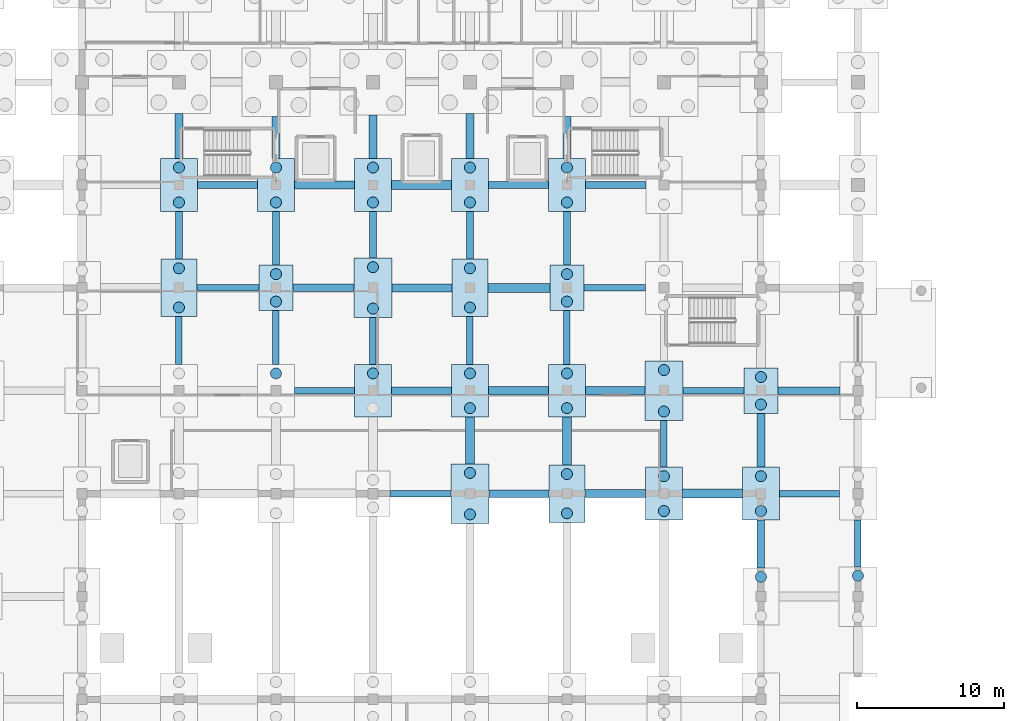
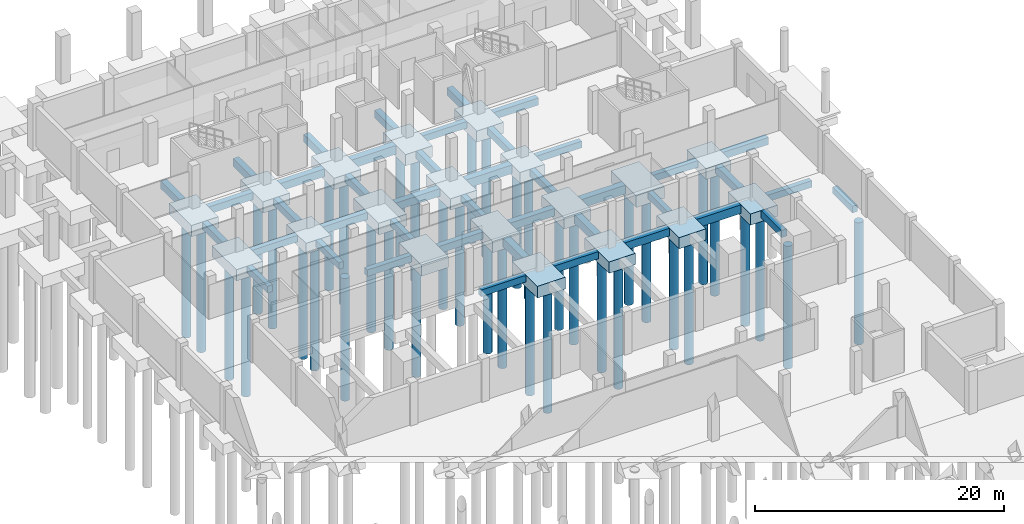
# One storey, part 9 of 27: 61 footings, 40 piles.
"""IFC4 building model written with IfcOpenShell, lengths in metres."""

from ifc_helpers import new_model, si_unit, direction, frame, origin, origin_2d, place, context, subcontext, project, spatial, rectangle, circle, extrude, material, material_profile, profile_set, type_object, element, save


model = new_model("IFC4")

# Units and contexts
model_context = context("Model", 3, precision=1e-05, world=origin(), true_north=direction((0.0, 1.0)))
body_context = subcontext(model_context, "Body", "Model", "MODEL_VIEW")
ifc_project = project(units=[si_unit("LENGTHUNIT", "METRE"), si_unit("AREAUNIT", "SQUARE_METRE"), si_unit("VOLUMEUNIT", "CUBIC_METRE"), si_unit("PLANEANGLEUNIT", "RADIAN"), si_unit("MASSUNIT", "GRAM", prefix="KILO")], contexts=[model_context])

# Site, building, storey
site_placement = place(None, origin())
site = spatial("IfcSite", under=ifc_project, at=site_placement, CompositionType="ELEMENT")
building_placement = place(site_placement, origin())
building = spatial("IfcBuilding", under=site, at=building_placement, Name="Ciguamira Faculty of Natural Sciences", CompositionType="ELEMENT")
storey_placement = place(building_placement, frame((0.0, 0.0, -4.199951171875)))
storey = spatial("IfcBuildingStorey", under=building, at=storey_placement, Name="B1", CompositionType="ELEMENT", Elevation=-4.199951171875)

# Piles
ifc_material = material(Name="Concrete C35/45", Category="concrete")
ifc_material_profile_1 = material_profile(ifc_material, circle(Radius=0.375, at=origin_2d()), Name="PILE-BORED-750")
ifc_profile_set_1 = profile_set([ifc_material_profile_1], Name="Concrete C35/45")
pile_type = type_object("IfcPileType", Name="BoredPile_BP-02_750", PredefinedType="BORED", material=ifc_profile_set_1)
for number, where, z_axis, x_axis, name in (
    (1, (70.5, 85.6650390625, -1.400146484375), (0.0, 0.0, -1.0), (1.0, 0.0, 0.0), "B1 bored pile 076-1"),
    (2, (70.5, 88.3349609375, -1.400146484375), (0.0, 0.0, -1.0), (1.0, 0.0, 0.0), "B1 bored pile 076-2"),
    (3, (70.5, 92.81494140625, -1.400146484375), (0.0, 0.0, -1.0), (1.0, 0.0, 0.0), "B1 bored pile 077-1"),
    (4, (70.5, 95.18505859375, -1.400146484375), (0.0, 0.0, -1.0), (1.0, 0.0, 0.0), "B1 bored pile 077-2"),
    (5, (77.10009765625, 81.18505859375, -1.400146484375), (0.0, 0.0, -1.0), (1.0, 0.0, 0.0), "B1 bored pile 089-2"),
):
    element("IfcPile", number, at=place(storey_placement, frame(where, z_axis=z_axis, x_axis=x_axis)), inside=storey, type_object=pile_type, Name=name, PredefinedType="BORED", context=body_context, shape_type="SweptSolid", body=[
        extrude(circle(Radius=0.375, at=origin_2d()), origin(), (0.0, 0.0, 1.0), 12.0),
    ])
for number, where, z_axis, x_axis, name in (
    (6, (77.10009765625, 86.06494140625, -1.35009765625), (0.0, 0.0, -1.0), (1.0, 0.0, 0.0), "B1 bored pile 090-1"),
    (7, (77.10009765625, 87.93505859375, -1.35009765625), (0.0, 0.0, -1.0), (1.0, 0.0, 0.0), "B1 bored pile 090-2"),
):
    element("IfcPile", number, at=place(storey_placement, frame(where, z_axis=z_axis, x_axis=x_axis)), inside=storey, type_object=pile_type, Name=name, PredefinedType="BORED", context=body_context, shape_type="SweptSolid", body=[
        extrude(circle(Radius=0.375, at=origin_2d()), origin(), (0.0, 0.0, 1.0), 12.050048828125),
    ])
for number, where, z_axis, x_axis, name in (
    (8, (77.10009765625, 92.81494140625, -1.400146484375), (0.0, 0.0, -1.0), (1.0, 0.0, 0.0), "B1 bored pile 091-1"),
    (9, (77.10009765625, 95.18505859375, -1.400146484375), (0.0, 0.0, -1.0), (1.0, 0.0, 0.0), "B1 bored pile 091-2"),
    (10, (83.699951171875, 81.18505859375, -1.400146484375), (0.0, 0.0, -1.0), (1.0, 0.0, 0.0), "B1 bored pile 103-2"),
):
    element("IfcPile", number, at=place(storey_placement, frame(where, z_axis=z_axis, x_axis=x_axis)), inside=storey, type_object=pile_type, Name=name, PredefinedType="BORED", context=body_context, shape_type="SweptSolid", body=[
        extrude(circle(Radius=0.375, at=origin_2d()), origin(), (0.0, 0.0, 1.0), 12.0),
    ])
for number, where, z_axis, x_axis, name in (
    (11, (83.699951171875, 85.590087890625, -1.449951171875), (0.0, 0.0, -1.0), (1.0, 0.0, 0.0), "B1 bored pile 104-1"),
    (12, (83.699951171875, 88.409912109375, -1.449951171875), (0.0, 0.0, -1.0), (1.0, 0.0, 0.0), "B1 bored pile 104-2"),
):
    element("IfcPile", number, at=place(storey_placement, frame(where, z_axis=z_axis, x_axis=x_axis)), inside=storey, type_object=pile_type, Name=name, PredefinedType="BORED", context=body_context, shape_type="SweptSolid", body=[
        extrude(circle(Radius=0.375, at=origin_2d()), origin(), (0.0, 0.0, 1.0), 11.949951171875),
    ])
for number, where, z_axis, x_axis, name in (
    (13, (83.699951171875, 92.81494140625, -1.400146484375), (0.0, 0.0, -1.0), (1.0, 0.0, 0.0), "B1 bored pile 105-1"),
    (14, (83.699951171875, 95.18505859375, -1.400146484375), (0.0, 0.0, -1.0), (1.0, 0.0, 0.0), "B1 bored pile 105-2"),
):
    element("IfcPile", number, at=place(storey_placement, frame(where, z_axis=z_axis, x_axis=x_axis)), inside=storey, type_object=pile_type, Name=name, PredefinedType="BORED", context=body_context, shape_type="SweptSolid", body=[
        extrude(circle(Radius=0.375, at=origin_2d()), origin(), (0.0, 0.0, 1.0), 12.0),
    ])
for number, where, z_axis, x_axis, name in (
    (15, (90.300048828125, 71.590087890625, -1.449951171875), (0.0, 0.0, -1.0), (1.0, 0.0, 0.0), "B1 bored pile 116-1"),
    (16, (90.300048828125, 74.409912109375, -1.449951171875), (0.0, 0.0, -1.0), (1.0, 0.0, 0.0), "B1 bored pile 116-2"),
):
    element("IfcPile", number, at=place(storey_placement, frame(where, z_axis=z_axis, x_axis=x_axis)), inside=storey, type_object=pile_type, Name=name, PredefinedType="BORED", context=body_context, shape_type="SweptSolid", body=[
        extrude(circle(Radius=0.375, at=origin_2d()), origin(), (0.0, 0.0, 1.0), 11.949951171875),
    ])
for number, where, z_axis, x_axis, name in (
    (17, (90.300048828125, 78.81494140625, -1.400146484375), (0.0, 0.0, -1.0), (1.0, 0.0, 0.0), "B1 bored pile 117-1"),
    (18, (90.300048828125, 81.18505859375, -1.400146484375), (0.0, 0.0, -1.0), (1.0, 0.0, 0.0), "B1 bored pile 117-2"),
    (19, (90.300048828125, 85.6650390625, -1.400146484375), (0.0, 0.0, -1.0), (1.0, 0.0, 0.0), "B1 bored pile 118-1"),
    (20, (90.300048828125, 88.3349609375, -1.400146484375), (0.0, 0.0, -1.0), (1.0, 0.0, 0.0), "B1 bored pile 118-2"),
    (21, (90.300048828125, 92.81494140625, -1.400146484375), (0.0, 0.0, -1.0), (1.0, 0.0, 0.0), "B1 bored pile 119-1"),
    (22, (90.300048828125, 95.18505859375, -1.400146484375), (0.0, 0.0, -1.0), (1.0, 0.0, 0.0), "B1 bored pile 119-2"),
    (23, (96.89990234375, 71.6650390625, -1.400146484375), (0.0, 0.0, -1.0), (1.0, 0.0, 0.0), "B1 bored pile 130-1"),
    (24, (96.89990234375, 74.3349609375, -1.400146484375), (0.0, 0.0, -1.0), (1.0, 0.0, 0.0), "B1 bored pile 130-2"),
    (25, (96.89990234375, 78.81494140625, -1.400146484375), (0.0, 0.0, -1.0), (1.0, 0.0, 0.0), "B1 bored pile 131-1"),
    (26, (96.89990234375, 81.18505859375, -1.400146484375), (0.0, 0.0, -1.0), (1.0, 0.0, 0.0), "B1 bored pile 131-2"),
):
    element("IfcPile", number, at=place(storey_placement, frame(where, z_axis=z_axis, x_axis=x_axis)), inside=storey, type_object=pile_type, Name=name, PredefinedType="BORED", context=body_context, shape_type="SweptSolid", body=[
        extrude(circle(Radius=0.375, at=origin_2d()), origin(), (0.0, 0.0, 1.0), 12.0),
    ])
for number, where, z_axis, x_axis, name in (
    (27, (96.89990234375, 86.06494140625, -1.35009765625), (0.0, 0.0, -1.0), (1.0, 0.0, 0.0), "B1 bored pile 132-1"),
    (28, (96.89990234375, 87.93505859375, -1.35009765625), (0.0, 0.0, -1.0), (1.0, 0.0, 0.0), "B1 bored pile 132-2"),
):
    element("IfcPile", number, at=place(storey_placement, frame(where, z_axis=z_axis, x_axis=x_axis)), inside=storey, type_object=pile_type, Name=name, PredefinedType="BORED", context=body_context, shape_type="SweptSolid", body=[
        extrude(circle(Radius=0.375, at=origin_2d()), origin(), (0.0, 0.0, 1.0), 12.050048828125),
    ])
for number, where, z_axis, x_axis, name in (
    (29, (96.89990234375, 92.81494140625, -1.400146484375), (0.0, 0.0, -1.0), (1.0, 0.0, 0.0), "B1 bored pile 133-1"),
    (30, (96.89990234375, 95.18505859375, -1.400146484375), (0.0, 0.0, -1.0), (1.0, 0.0, 0.0), "B1 bored pile 133-2"),
    (31, (103.5, 71.81494140625, -1.400146484375), (0.0, 0.0, -1.0), (1.0, 0.0, 0.0), "B1 bored pile 145-1"),
    (32, (103.5, 74.18505859375, -1.400146484375), (0.0, 0.0, -1.0), (1.0, 0.0, 0.0), "B1 bored pile 145-2"),
):
    element("IfcPile", number, at=place(storey_placement, frame(where, z_axis=z_axis, x_axis=x_axis)), inside=storey, type_object=pile_type, Name=name, PredefinedType="BORED", context=body_context, shape_type="SweptSolid", body=[
        extrude(circle(Radius=0.375, at=origin_2d()), origin(), (0.0, 0.0, 1.0), 12.0),
    ])
for number, where, z_axis, x_axis, name in (
    (33, (103.5, 78.590087890625, -1.449951171875), (0.0, 0.0, -1.0), (1.0, 0.0, 0.0), "B1 bored pile 146-1"),
    (34, (103.5, 81.409912109375, -1.449951171875), (0.0, 0.0, -1.0), (1.0, 0.0, 0.0), "B1 bored pile 146-2"),
):
    element("IfcPile", number, at=place(storey_placement, frame(where, z_axis=z_axis, x_axis=x_axis)), inside=storey, type_object=pile_type, Name=name, PredefinedType="BORED", context=body_context, shape_type="SweptSolid", body=[
        extrude(circle(Radius=0.375, at=origin_2d()), origin(), (0.0, 0.0, 1.0), 11.949951171875),
    ])
for number, where, z_axis, x_axis, name in (
    (35, (110.10009765625, 67.3349609375, -1.400146484375), (0.0, 0.0, -1.0), (1.0, 0.0, 0.0), "B1 bored pile 160-2"),
    (36, (110.10009765625, 71.81494140625, -1.400146484375), (0.0, 0.0, -1.0), (1.0, 0.0, 0.0), "B1 bored pile 161-1"),
    (37, (110.10009765625, 74.18505859375, -1.400146484375), (0.0, 0.0, -1.0), (1.0, 0.0, 0.0), "B1 bored pile 161-2"),
):
    element("IfcPile", number, at=place(storey_placement, frame(where, z_axis=z_axis, x_axis=x_axis)), inside=storey, type_object=pile_type, Name=name, PredefinedType="BORED", context=body_context, shape_type="SweptSolid", body=[
        extrude(circle(Radius=0.375, at=origin_2d()), origin(), (0.0, 0.0, 1.0), 12.0),
    ])
for number, where, z_axis, x_axis, name in (
    (38, (110.10009765625, 79.06494140625, -1.35009765625), (0.0, 0.0, -1.0), (1.0, 0.0, 0.0), "B1 bored pile 162-1"),
    (39, (110.10009765625, 80.93505859375, -1.35009765625), (0.0, 0.0, -1.0), (1.0, 0.0, 0.0), "B1 bored pile 162-2"),
):
    element("IfcPile", number, at=place(storey_placement, frame(where, z_axis=z_axis, x_axis=x_axis)), inside=storey, type_object=pile_type, Name=name, PredefinedType="BORED", context=body_context, shape_type="SweptSolid", body=[
        extrude(circle(Radius=0.375, at=origin_2d()), origin(), (0.0, 0.0, 1.0), 12.050048828125),
    ])
pile_placement = place(storey_placement, frame((116.699951171875, 67.409912109375, -1.449951171875), z_axis=(0.0, 0.0, -1.0), x_axis=(1.0, 0.0, 0.0)))
element("IfcPile", 40, at=pile_placement, inside=storey, type_object=pile_type, Name="B1 bored pile 176-2", PredefinedType="BORED", context=body_context, shape_type="SweptSolid", body=[
    extrude(circle(Radius=0.375, at=origin_2d()), origin(), (0.0, 0.0, 1.0), 11.949951171875),
])

# Footings
ifc_material_profile_2 = material_profile(ifc_material, rectangle(XDim=0.449951171875, YDim=0.64990234375, at=origin_2d()), Name="RC-FB-450X650")
ifc_profile_set_2 = profile_set([ifc_material_profile_2], Name="Concrete C35/45")
footing_type_1 = type_object("IfcFootingType", Name="FootingBeam_FB-01_450x650", PredefinedType="FOOTING_BEAM", material=ifc_profile_set_2)
footing_1_placement = place(storey_placement, frame((84.85009765625, 73.0, -0.72509765625), z_axis=(1.0, 0.0, 0.0), x_axis=(0.0, 1.0, 0.0)))
element("IfcFooting", 41, at=footing_1_placement, inside=storey, type_object=footing_type_1, Name="B1 ground tie beam 0133", PredefinedType="FOOTING_BEAM", context=body_context, shape_type="SweptSolid", body=[
    extrude(rectangle(XDim=0.449951171875, YDim=0.64990234375, at=origin_2d()), origin(), (0.0, 0.0, 1.0), 4.14990234375),
])
for number, where, z_axis, x_axis, name in (
    (42, (111.35009765625, 73.0, -0.72509765625), (1.0, 0.0, 0.0), (0.0, 1.0, 0.0), "B1 ground tie beam 0137"),
    (43, (78.35009765625, 80.0, -0.72509765625), (1.0, 0.0, 0.0), (0.0, 1.0, 0.0), "B1 ground tie beam 0141"),
):
    element("IfcFooting", number, at=place(storey_placement, frame(where, z_axis=z_axis, x_axis=x_axis)), inside=storey, type_object=footing_type_1, Name=name, PredefinedType="FOOTING_BEAM", context=body_context, shape_type="SweptSolid", body=[
        extrude(rectangle(XDim=0.449951171875, YDim=0.64990234375, at=origin_2d()), origin(), (0.0, 0.0, 1.0), 4.099853515625),
    ])
footing_2_placement = place(storey_placement, frame((104.800048828125, 80.0, -0.72509765625), z_axis=(1.0, 0.0, 0.0), x_axis=(0.0, 1.0, 0.0)))
element("IfcFooting", 44, at=footing_2_placement, inside=storey, type_object=footing_type_1, Name="B1 ground tie beam 0145", PredefinedType="FOOTING_BEAM", context=body_context, shape_type="SweptSolid", body=[
    extrude(rectangle(XDim=0.449951171875, YDim=0.64990234375, at=origin_2d()), origin(), (0.0, 0.0, 1.0), 4.14990234375),
])
footing_3_placement = place(storey_placement, frame((71.72509765625, 87.0, -0.72509765625), z_axis=(1.0, 0.0, 0.0), x_axis=(0.0, 1.0, 0.0)))
element("IfcFooting", 45, at=footing_3_placement, inside=storey, type_object=footing_type_1, Name="B1 ground tie beam 0149", PredefinedType="FOOTING_BEAM", context=body_context, shape_type="SweptSolid", body=[
    extrude(rectangle(XDim=0.449951171875, YDim=0.64990234375, at=origin_2d()), origin(), (0.0, 0.0, 1.0), 4.224853515625),
])
footing_4_placement = place(storey_placement, frame((98.050048828125, 87.0, -0.72509765625), z_axis=(1.0, 0.0, 0.0), x_axis=(0.0, 1.0, 0.0)))
element("IfcFooting", 46, at=footing_4_placement, inside=storey, type_object=footing_type_1, Name="B1 ground tie beam 0153", PredefinedType="FOOTING_BEAM", context=body_context, shape_type="SweptSolid", body=[
    extrude(rectangle(XDim=0.449951171875, YDim=0.64990234375, at=origin_2d()), origin(), (0.0, 0.0, 1.0), 4.199951171875),
])
footing_5_placement = place(storey_placement, frame((91.550048828125, 94.0, -0.72509765625), z_axis=(1.0, 0.0, 0.0), x_axis=(0.0, 1.0, 0.0)))
element("IfcFooting", 47, at=footing_5_placement, inside=storey, type_object=footing_type_1, Name="B1 ground tie beam 0161", PredefinedType="FOOTING_BEAM", context=body_context, shape_type="SweptSolid", body=[
    extrude(rectangle(XDim=0.449951171875, YDim=0.64990234375, at=origin_2d()), origin(), (0.0, 0.0, 1.0), 4.099853515625),
])
footing_6_placement = place(storey_placement, frame((70.5, 81.800048828125, -0.72509765625), z_axis=(0.0, 1.0, 0.0), x_axis=(-1.0, 0.0, 0.0)))
element("IfcFooting", 48, at=footing_6_placement, inside=storey, type_object=footing_type_1, Name="B1 ground tie beam 0257", PredefinedType="FOOTING_BEAM", context=body_context, shape_type="SweptSolid", body=[
    extrude(rectangle(XDim=0.449951171875, YDim=0.64990234375, at=origin_2d()), origin(), (0.0, 0.0, 1.0), 3.25),
])
footing_7_placement = place(storey_placement, frame((77.10009765625, 81.800048828125, -0.72509765625), z_axis=(0.0, 1.0, 0.0), x_axis=(-1.0, 0.0, 0.0)))
element("IfcFooting", 49, at=footing_7_placement, inside=storey, type_object=footing_type_1, Name="B1 ground tie beam 0269", PredefinedType="FOOTING_BEAM", context=body_context, shape_type="SweptSolid", body=[
    extrude(rectangle(XDim=0.449951171875, YDim=0.64990234375, at=origin_2d()), origin(), (0.0, 0.0, 1.0), 3.64990234375),
])
footing_8_placement = place(storey_placement, frame((83.699951171875, 81.800048828125, -0.72509765625), z_axis=(0.0, 1.0, 0.0), x_axis=(-1.0, 0.0, 0.0)))
element("IfcFooting", 50, at=footing_8_placement, inside=storey, type_object=footing_type_1, Name="B1 ground tie beam 0281", PredefinedType="FOOTING_BEAM", context=body_context, shape_type="SweptSolid", body=[
    extrude(rectangle(XDim=0.449951171875, YDim=0.64990234375, at=origin_2d()), origin(), (0.0, 0.0, 1.0), 3.175048828125),
])
footing_9_placement = place(storey_placement, frame((90.300048828125, 81.800048828125, -0.72509765625), z_axis=(0.0, 1.0, 0.0), x_axis=(-1.0, 0.0, 0.0)))
element("IfcFooting", 51, at=footing_9_placement, inside=storey, type_object=footing_type_1, Name="B1 ground tie beam 0293", PredefinedType="FOOTING_BEAM", context=body_context, shape_type="SweptSolid", body=[
    extrude(rectangle(XDim=0.449951171875, YDim=0.64990234375, at=origin_2d()), origin(), (0.0, 0.0, 1.0), 3.25),
])
footing_10_placement = place(storey_placement, frame((96.89990234375, 81.800048828125, -0.72509765625), z_axis=(0.0, 1.0, 0.0), x_axis=(-1.0, 0.0, 0.0)))
element("IfcFooting", 52, at=footing_10_placement, inside=storey, type_object=footing_type_1, Name="B1 ground tie beam 0305", PredefinedType="FOOTING_BEAM", context=body_context, shape_type="SweptSolid", body=[
    extrude(rectangle(XDim=0.449951171875, YDim=0.64990234375, at=origin_2d()), origin(), (0.0, 0.0, 1.0), 3.64990234375),
])
for number, where, z_axis, x_axis, name in (
    (53, (103.5, 74.800048828125, -0.72509765625), (0.0, 1.0, 0.0), (-1.0, 0.0, 0.0), "B1 ground tie beam 0317"),
    (54, (116.699951171875, 68.02490234375, -0.72509765625), (0.0, 1.0, 0.0), (-1.0, 0.0, 0.0), "B1 ground tie beam 0345"),
):
    element("IfcFooting", number, at=place(storey_placement, frame(where, z_axis=z_axis, x_axis=x_axis)), inside=storey, type_object=footing_type_1, Name=name, PredefinedType="FOOTING_BEAM", context=body_context, shape_type="SweptSolid", body=[
        extrude(rectangle(XDim=0.449951171875, YDim=0.64990234375, at=origin_2d()), origin(), (0.0, 0.0, 1.0), 3.175048828125),
    ])
ifc_material_profile_3 = material_profile(ifc_material, rectangle(XDim=0.5, YDim=0.699951171875, at=origin_2d()), Name="RC-FB-500X700")
ifc_profile_set_3 = profile_set([ifc_material_profile_3], Name="Concrete C35/45")
footing_type_2 = type_object("IfcFootingType", Name="FootingBeam_FB-02_500x700", PredefinedType="FOOTING_BEAM", material=ifc_profile_set_3)
footing_11_placement = place(storey_placement, frame((91.60009765625, 73.0, -0.75), z_axis=(1.0, 0.0, 0.0), x_axis=(0.0, 1.0, 0.0)))
element("IfcFooting", 55, at=footing_11_placement, inside=storey, type_object=footing_type_2, Name="B1 ground tie beam 0134", PredefinedType="FOOTING_BEAM", context=body_context, shape_type="SweptSolid", body=[
    extrude(rectangle(XDim=0.5, YDim=0.699951171875, at=origin_2d()), origin(), (0.0, 0.0, 1.0), 4.074951171875),
])
footing_12_placement = place(storey_placement, frame((84.949951171875, 80.0, -0.75), z_axis=(1.0, 0.0, 0.0), x_axis=(0.0, 1.0, 0.0)))
element("IfcFooting", 56, at=footing_12_placement, inside=storey, type_object=footing_type_2, Name="B1 ground tie beam 0142", PredefinedType="FOOTING_BEAM", context=body_context, shape_type="SweptSolid", body=[
    extrude(rectangle(XDim=0.5, YDim=0.699951171875, at=origin_2d()), origin(), (0.0, 0.0, 1.0), 4.10009765625),
])
footing_13_placement = place(storey_placement, frame((111.25, 80.0, -0.75), z_axis=(1.0, 0.0, 0.0), x_axis=(0.0, 1.0, 0.0)))
element("IfcFooting", 57, at=footing_13_placement, inside=storey, type_object=footing_type_2, Name="B1 ground tie beam 0146", PredefinedType="FOOTING_BEAM", context=body_context, shape_type="SweptSolid", body=[
    extrude(rectangle(XDim=0.5, YDim=0.699951171875, at=origin_2d()), origin(), (0.0, 0.0, 1.0), 4.22509765625),
])
footing_14_placement = place(storey_placement, frame((78.25, 87.0, -0.75), z_axis=(1.0, 0.0, 0.0), x_axis=(0.0, 1.0, 0.0)))
element("IfcFooting", 58, at=footing_14_placement, inside=storey, type_object=footing_type_2, Name="B1 ground tie beam 0150", PredefinedType="FOOTING_BEAM", context=body_context, shape_type="SweptSolid", body=[
    extrude(rectangle(XDim=0.5, YDim=0.699951171875, at=origin_2d()), origin(), (0.0, 0.0, 1.0), 4.14990234375),
])
footing_15_placement = place(storey_placement, frame((71.75, 94.0, -0.75), z_axis=(1.0, 0.0, 0.0), x_axis=(0.0, 1.0, 0.0)))
element("IfcFooting", 59, at=footing_15_placement, inside=storey, type_object=footing_type_2, Name="B1 ground tie beam 0158", PredefinedType="FOOTING_BEAM", context=body_context, shape_type="SweptSolid", body=[
    extrude(rectangle(XDim=0.5, YDim=0.699951171875, at=origin_2d()), origin(), (0.0, 0.0, 1.0), 4.10009765625),
])
footing_16_placement = place(storey_placement, frame((98.14990234375, 94.0, -0.75), z_axis=(1.0, 0.0, 0.0), x_axis=(0.0, 1.0, 0.0)))
element("IfcFooting", 60, at=footing_16_placement, inside=storey, type_object=footing_type_2, Name="B1 ground tie beam 0162", PredefinedType="FOOTING_BEAM", context=body_context, shape_type="SweptSolid", body=[
    extrude(rectangle(XDim=0.5, YDim=0.699951171875, at=origin_2d()), origin(), (0.0, 0.0, 1.0), 4.125),
])
footing_17_placement = place(storey_placement, frame((70.5, 88.949951171875, -0.75), z_axis=(0.0, 1.0, 0.0), x_axis=(-1.0, 0.0, 0.0)))
element("IfcFooting", 61, at=footing_17_placement, inside=storey, type_object=footing_type_2, Name="B1 ground tie beam 0258", PredefinedType="FOOTING_BEAM", context=body_context, shape_type="SweptSolid", body=[
    extrude(rectangle(XDim=0.5, YDim=0.699951171875, at=origin_2d()), origin(), (0.0, 0.0, 1.0), 3.25),
])
footing_18_placement = place(storey_placement, frame((77.10009765625, 88.550048828125, -0.75), z_axis=(0.0, 1.0, 0.0), x_axis=(-1.0, 0.0, 0.0)))
element("IfcFooting", 62, at=footing_18_placement, inside=storey, type_object=footing_type_2, Name="B1 ground tie beam 0270", PredefinedType="FOOTING_BEAM", context=body_context, shape_type="SweptSolid", body=[
    extrude(rectangle(XDim=0.5, YDim=0.699951171875, at=origin_2d()), origin(), (0.0, 0.0, 1.0), 3.64990234375),
])
footing_19_placement = place(storey_placement, frame((83.699951171875, 89.02490234375, -0.75), z_axis=(0.0, 1.0, 0.0), x_axis=(-1.0, 0.0, 0.0)))
element("IfcFooting", 63, at=footing_19_placement, inside=storey, type_object=footing_type_2, Name="B1 ground tie beam 0282", PredefinedType="FOOTING_BEAM", context=body_context, shape_type="SweptSolid", body=[
    extrude(rectangle(XDim=0.5, YDim=0.699951171875, at=origin_2d()), origin(), (0.0, 0.0, 1.0), 3.175048828125),
])
footing_20_placement = place(storey_placement, frame((90.300048828125, 88.949951171875, -0.75), z_axis=(0.0, 1.0, 0.0), x_axis=(-1.0, 0.0, 0.0)))
element("IfcFooting", 64, at=footing_20_placement, inside=storey, type_object=footing_type_2, Name="B1 ground tie beam 0294", PredefinedType="FOOTING_BEAM", context=body_context, shape_type="SweptSolid", body=[
    extrude(rectangle(XDim=0.5, YDim=0.699951171875, at=origin_2d()), origin(), (0.0, 0.0, 1.0), 3.25),
])
footing_21_placement = place(storey_placement, frame((96.89990234375, 88.550048828125, -0.75), z_axis=(0.0, 1.0, 0.0), x_axis=(-1.0, 0.0, 0.0)))
element("IfcFooting", 65, at=footing_21_placement, inside=storey, type_object=footing_type_2, Name="B1 ground tie beam 0306", PredefinedType="FOOTING_BEAM", context=body_context, shape_type="SweptSolid", body=[
    extrude(rectangle(XDim=0.5, YDim=0.699951171875, at=origin_2d()), origin(), (0.0, 0.0, 1.0), 3.64990234375),
])
footing_22_placement = place(storey_placement, frame((110.10009765625, 67.949951171875, -0.75), z_axis=(0.0, 1.0, 0.0), x_axis=(-1.0, 0.0, 0.0)))
element("IfcFooting", 66, at=footing_22_placement, inside=storey, type_object=footing_type_2, Name="B1 ground tie beam 0330", PredefinedType="FOOTING_BEAM", context=body_context, shape_type="SweptSolid", body=[
    extrude(rectangle(XDim=0.5, YDim=0.699951171875, at=origin_2d()), origin(), (0.0, 0.0, 1.0), 3.25),
])
ifc_material_profile_4 = material_profile(ifc_material, rectangle(XDim=0.550048828125, YDim=0.75, at=origin_2d()), Name="RC-FB-550X750")
ifc_profile_set_4 = profile_set([ifc_material_profile_4], Name="Concrete C35/45")
footing_type_3 = type_object("IfcFootingType", Name="FootingBeam_FB-03_550x750", PredefinedType="FOOTING_BEAM", material=ifc_profile_set_4)
footing_23_placement = place(storey_placement, frame((98.125, 73.0, -0.775146484375), z_axis=(1.0, 0.0, 0.0), x_axis=(0.0, 1.0, 0.0)))
element("IfcFooting", 67, at=footing_23_placement, inside=storey, type_object=footing_type_3, Name="B1 ground tie beam 0135", PredefinedType="FOOTING_BEAM", context=body_context, shape_type="SweptSolid", body=[
    extrude(rectangle(XDim=0.550048828125, YDim=0.75, at=origin_2d()), origin(), (0.0, 0.0, 1.0), 4.125),
])
footing_24_placement = place(storey_placement, frame((91.550048828125, 80.0, -0.775146484375), z_axis=(1.0, 0.0, 0.0), x_axis=(0.0, 1.0, 0.0)))
element("IfcFooting", 68, at=footing_24_placement, inside=storey, type_object=footing_type_3, Name="B1 ground tie beam 0143", PredefinedType="FOOTING_BEAM", context=body_context, shape_type="SweptSolid", body=[
    extrude(rectangle(XDim=0.550048828125, YDim=0.75, at=origin_2d()), origin(), (0.0, 0.0, 1.0), 4.099853515625),
])
footing_25_placement = place(storey_placement, frame((85.0, 87.0, -0.775146484375), z_axis=(1.0, 0.0, 0.0), x_axis=(0.0, 1.0, 0.0)))
element("IfcFooting", 69, at=footing_25_placement, inside=storey, type_object=footing_type_3, Name="B1 ground tie beam 0151", PredefinedType="FOOTING_BEAM", context=body_context, shape_type="SweptSolid", body=[
    extrude(rectangle(XDim=0.550048828125, YDim=0.75, at=origin_2d()), origin(), (0.0, 0.0, 1.0), 4.074951171875),
])
footing_26_placement = place(storey_placement, frame((78.35009765625, 94.0, -0.775146484375), z_axis=(1.0, 0.0, 0.0), x_axis=(0.0, 1.0, 0.0)))
element("IfcFooting", 70, at=footing_26_placement, inside=storey, type_object=footing_type_3, Name="B1 ground tie beam 0159", PredefinedType="FOOTING_BEAM", context=body_context, shape_type="SweptSolid", body=[
    extrude(rectangle(XDim=0.550048828125, YDim=0.75, at=origin_2d()), origin(), (0.0, 0.0, 1.0), 4.099853515625),
])
footing_27_placement = place(storey_placement, frame((70.5, 95.800048828125, -0.775146484375), z_axis=(0.0, 1.0, 0.0), x_axis=(-1.0, 0.0, 0.0)))
element("IfcFooting", 71, at=footing_27_placement, inside=storey, type_object=footing_type_3, Name="B1 ground tie beam 0259", PredefinedType="FOOTING_BEAM", context=body_context, shape_type="SweptSolid", body=[
    extrude(rectangle(XDim=0.550048828125, YDim=0.75, at=origin_2d()), origin(), (0.0, 0.0, 1.0), 3.050048828125),
])
footing_28_placement = place(storey_placement, frame((77.10009765625, 95.800048828125, -0.775146484375), z_axis=(0.0, 1.0, 0.0), x_axis=(-1.0, 0.0, 0.0)))
element("IfcFooting", 72, at=footing_28_placement, inside=storey, type_object=footing_type_3, Name="B1 ground tie beam 0271", PredefinedType="FOOTING_BEAM", context=body_context, shape_type="SweptSolid", body=[
    extrude(rectangle(XDim=0.550048828125, YDim=0.75, at=origin_2d()), origin(), (0.0, 0.0, 1.0), 2.875),
])
footing_29_placement = place(storey_placement, frame((83.699951171875, 95.800048828125, -0.775146484375), z_axis=(0.0, 1.0, 0.0), x_axis=(-1.0, 0.0, 0.0)))
element("IfcFooting", 73, at=footing_29_placement, inside=storey, type_object=footing_type_3, Name="B1 ground tie beam 0283", PredefinedType="FOOTING_BEAM", context=body_context, shape_type="SweptSolid", body=[
    extrude(rectangle(XDim=0.550048828125, YDim=0.75, at=origin_2d()), origin(), (0.0, 0.0, 1.0), 2.974853515625),
])
footing_30_placement = place(storey_placement, frame((90.300048828125, 95.800048828125, -0.775146484375), z_axis=(0.0, 1.0, 0.0), x_axis=(-1.0, 0.0, 0.0)))
element("IfcFooting", 74, at=footing_30_placement, inside=storey, type_object=footing_type_3, Name="B1 ground tie beam 0295", PredefinedType="FOOTING_BEAM", context=body_context, shape_type="SweptSolid", body=[
    extrude(rectangle(XDim=0.550048828125, YDim=0.75, at=origin_2d()), origin(), (0.0, 0.0, 1.0), 3.050048828125),
])
footing_31_placement = place(storey_placement, frame((96.89990234375, 95.800048828125, -0.775146484375), z_axis=(0.0, 1.0, 0.0), x_axis=(-1.0, 0.0, 0.0)))
element("IfcFooting", 75, at=footing_31_placement, inside=storey, type_object=footing_type_3, Name="B1 ground tie beam 0307", PredefinedType="FOOTING_BEAM", context=body_context, shape_type="SweptSolid", body=[
    extrude(rectangle(XDim=0.550048828125, YDim=0.75, at=origin_2d()), origin(), (0.0, 0.0, 1.0), 2.875),
])
footing_32_placement = place(storey_placement, frame((110.10009765625, 74.800048828125, -0.775146484375), z_axis=(0.0, 1.0, 0.0), x_axis=(-1.0, 0.0, 0.0)))
element("IfcFooting", 76, at=footing_32_placement, inside=storey, type_object=footing_type_3, Name="B1 ground tie beam 0331", PredefinedType="FOOTING_BEAM", context=body_context, shape_type="SweptSolid", body=[
    extrude(rectangle(XDim=0.550048828125, YDim=0.75, at=origin_2d()), origin(), (0.0, 0.0, 1.0), 3.64990234375),
])
ifc_material_profile_5 = material_profile(ifc_material, rectangle(XDim=0.60009765625, YDim=0.85009765625, at=origin_2d()), Name="RC-FB-600X850")
ifc_profile_set_5 = profile_set([ifc_material_profile_5], Name="Concrete C35/45")
footing_type_4 = type_object("IfcFootingType", Name="FootingBeam_FB-04_600x850", PredefinedType="FOOTING_BEAM", material=ifc_profile_set_5)
footing_33_placement = place(storey_placement, frame((104.75, 73.0, -0.824951171875), z_axis=(1.0, 0.0, 0.0), x_axis=(0.0, 1.0, 0.0)))
element("IfcFooting", 77, at=footing_33_placement, inside=storey, type_object=footing_type_4, Name="B1 ground tie beam 0136", PredefinedType="FOOTING_BEAM", context=body_context, shape_type="SweptSolid", body=[
    extrude(rectangle(XDim=0.60009765625, YDim=0.85009765625, at=origin_2d()), origin(), (0.0, 0.0, 1.0), 4.10009765625),
])
footing_34_placement = place(storey_placement, frame((98.14990234375, 80.0, -0.824951171875), z_axis=(1.0, 0.0, 0.0), x_axis=(0.0, 1.0, 0.0)))
element("IfcFooting", 78, at=footing_34_placement, inside=storey, type_object=footing_type_4, Name="B1 ground tie beam 0144", PredefinedType="FOOTING_BEAM", context=body_context, shape_type="SweptSolid", body=[
    extrude(rectangle(XDim=0.60009765625, YDim=0.85009765625, at=origin_2d()), origin(), (0.0, 0.0, 1.0), 4.050048828125),
])
footing_35_placement = place(storey_placement, frame((91.52490234375, 87.0, -0.824951171875), z_axis=(1.0, 0.0, 0.0), x_axis=(0.0, 1.0, 0.0)))
element("IfcFooting", 79, at=footing_35_placement, inside=storey, type_object=footing_type_4, Name="B1 ground tie beam 0152", PredefinedType="FOOTING_BEAM", context=body_context, shape_type="SweptSolid", body=[
    extrude(rectangle(XDim=0.60009765625, YDim=0.85009765625, at=origin_2d()), origin(), (0.0, 0.0, 1.0), 4.22509765625),
])
footing_36_placement = place(storey_placement, frame((84.949951171875, 94.0, -0.824951171875), z_axis=(1.0, 0.0, 0.0), x_axis=(0.0, 1.0, 0.0)))
element("IfcFooting", 80, at=footing_36_placement, inside=storey, type_object=footing_type_4, Name="B1 ground tie beam 0160", PredefinedType="FOOTING_BEAM", context=body_context, shape_type="SweptSolid", body=[
    extrude(rectangle(XDim=0.60009765625, YDim=0.85009765625, at=origin_2d()), origin(), (0.0, 0.0, 1.0), 4.10009765625),
])
footing_37_placement = place(storey_placement, frame((90.300048828125, 75.02490234375, -0.824951171875), z_axis=(0.0, 1.0, 0.0), x_axis=(-1.0, 0.0, 0.0)))
element("IfcFooting", 81, at=footing_37_placement, inside=storey, type_object=footing_type_4, Name="B1 ground tie beam 0292", PredefinedType="FOOTING_BEAM", context=body_context, shape_type="SweptSolid", body=[
    extrude(rectangle(XDim=0.60009765625, YDim=0.85009765625, at=origin_2d()), origin(), (0.0, 0.0, 1.0), 3.175048828125),
])
footing_38_placement = place(storey_placement, frame((96.89990234375, 74.949951171875, -0.824951171875), z_axis=(0.0, 1.0, 0.0), x_axis=(-1.0, 0.0, 0.0)))
element("IfcFooting", 82, at=footing_38_placement, inside=storey, type_object=footing_type_4, Name="B1 ground tie beam 0304", PredefinedType="FOOTING_BEAM", context=body_context, shape_type="SweptSolid", body=[
    extrude(rectangle(XDim=0.60009765625, YDim=0.85009765625, at=origin_2d()), origin(), (0.0, 0.0, 1.0), 3.25),
])
footing_type_5 = type_object("IfcFootingType", Name="PileCap_PC-03_230x310x105", PredefinedType="PILE_CAP", material=ifc_material)
for number, where, z_axis, x_axis, name in (
    (83, (77.10009765625, 87.0, -1.4501953125), (0.0, 0.0, 1.0), (1.0, 0.0, 0.0), "B1 pile cap PC-03 at (77.1, 87.0)"),
    (84, (96.89990234375, 87.0, -1.4501953125), (0.0, 0.0, 1.0), (1.0, 0.0, 0.0), "B1 pile cap PC-03 at (96.9, 87.0)"),
    (85, (110.10009765625, 80.0, -1.4501953125), (0.0, 0.0, 1.0), (1.0, 0.0, 0.0), "B1 pile cap PC-03 at (110.1, 80.0)"),
):
    element("IfcFooting", number, at=place(storey_placement, frame(where, z_axis=z_axis, x_axis=x_axis)), inside=storey, type_object=footing_type_5, Name=name, PredefinedType="PILE_CAP", context=body_context, shape_type="SweptSolid", body=[
        extrude(rectangle(XDim=2.300048828125, YDim=3.10009765625, at=origin_2d()), origin(), (0.0, 0.0, 1.0), 1.050048828125),
    ])
footing_type_6 = type_object("IfcFootingType", Name="PileCap_PC-04_245x390x110", PredefinedType="PILE_CAP", material=ifc_material)
for number, where, z_axis, x_axis, name in (
    (86, (70.5, 87.0, -1.5), (0.0, 0.0, 1.0), (1.0, 0.0, 0.0), "B1 pile cap PC-04 at (70.5, 87.0)"),
    (87, (90.300048828125, 87.0, -1.5), (0.0, 0.0, 1.0), (1.0, 0.0, 0.0), "B1 pile cap PC-04 at (90.3, 87.0)"),
    (88, (96.89990234375, 73.0, -1.5), (0.0, 0.0, 1.0), (1.0, 0.0, 0.0), "B1 pile cap PC-04 at (96.9, 73.0)"),
):
    element("IfcFooting", number, at=place(storey_placement, frame(where, z_axis=z_axis, x_axis=x_axis)), inside=storey, type_object=footing_type_6, Name=name, PredefinedType="PILE_CAP", context=body_context, shape_type="SweptSolid", body=[
        extrude(rectangle(XDim=2.449951171875, YDim=3.89990234375, at=origin_2d()), origin(), (0.0, 0.0, 1.0), 1.10009765625),
    ])
footing_type_7 = type_object("IfcFootingType", Name="PileCap_PC-05_260x405x115", PredefinedType="PILE_CAP", material=ifc_material)
for number, where, z_axis, x_axis, name in (
    (89, (83.699951171875, 87.0, -1.550048828125), (0.0, 0.0, 1.0), (1.0, 0.0, 0.0), "B1 pile cap PC-05 at (83.7, 87.0)"),
    (90, (90.300048828125, 73.0, -1.550048828125), (0.0, 0.0, 1.0), (1.0, 0.0, 0.0), "B1 pile cap PC-05 at (90.3, 73.0)"),
    (91, (103.5, 80.0, -1.550048828125), (0.0, 0.0, 1.0), (1.0, 0.0, 0.0), "B1 pile cap PC-05 at (103.5, 80.0)"),
):
    element("IfcFooting", number, at=place(storey_placement, frame(where, z_axis=z_axis, x_axis=x_axis)), inside=storey, type_object=footing_type_7, Name=name, PredefinedType="PILE_CAP", context=body_context, shape_type="SweptSolid", body=[
        extrude(rectangle(XDim=2.60009765625, YDim=4.050048828125, at=origin_2d()), origin(), (0.0, 0.0, 1.0), 1.14990234375),
    ])
footing_type_8 = type_object("IfcFootingType", Name="PileCap_PC-12_250x360x110", PredefinedType="PILE_CAP", material=ifc_material)
for number, where, z_axis, x_axis, name in (
    (92, (70.5, 94.0, -1.5), (0.0, 0.0, 1.0), (1.0, 0.0, 0.0), "B1 pile cap PC-12 at (70.5, 94.0)"),
    (93, (77.10009765625, 94.0, -1.5), (0.0, 0.0, 1.0), (1.0, 0.0, 0.0), "B1 pile cap PC-12 at (77.1, 94.0)"),
    (94, (83.699951171875, 80.0, -1.5), (0.0, 0.0, 1.0), (1.0, 0.0, 0.0), "B1 pile cap PC-12 at (83.7, 80.0)"),
    (95, (83.699951171875, 94.0, -1.5), (0.0, 0.0, 1.0), (1.0, 0.0, 0.0), "B1 pile cap PC-12 at (83.7, 94.0)"),
    (96, (90.300048828125, 80.0, -1.5), (0.0, 0.0, 1.0), (1.0, 0.0, 0.0), "B1 pile cap PC-12 at (90.3, 80.0)"),
    (97, (90.300048828125, 94.0, -1.5), (0.0, 0.0, 1.0), (1.0, 0.0, 0.0), "B1 pile cap PC-12 at (90.3, 94.0)"),
    (98, (96.89990234375, 80.0, -1.5), (0.0, 0.0, 1.0), (1.0, 0.0, 0.0), "B1 pile cap PC-12 at (96.9, 80.0)"),
    (99, (96.89990234375, 94.0, -1.5), (0.0, 0.0, 1.0), (1.0, 0.0, 0.0), "B1 pile cap PC-12 at (96.9, 94.0)"),
    (100, (103.5, 73.0, -1.5), (0.0, 0.0, 1.0), (1.0, 0.0, 0.0), "B1 pile cap PC-12 at (103.5, 73.0)"),
    (101, (110.10009765625, 73.0, -1.5), (0.0, 0.0, 1.0), (1.0, 0.0, 0.0), "B1 pile cap PC-12 at (110.1, 73.0)"),
):
    element("IfcFooting", number, at=place(storey_placement, frame(where, z_axis=z_axis, x_axis=x_axis)), inside=storey, type_object=footing_type_8, Name=name, PredefinedType="PILE_CAP", context=body_context, shape_type="SweptSolid", body=[
        extrude(rectangle(XDim=2.5, YDim=3.60009765625, at=origin_2d()), origin(), (0.0, 0.0, 1.0), 1.10009765625),
    ])

save(model, "model.ifc")
